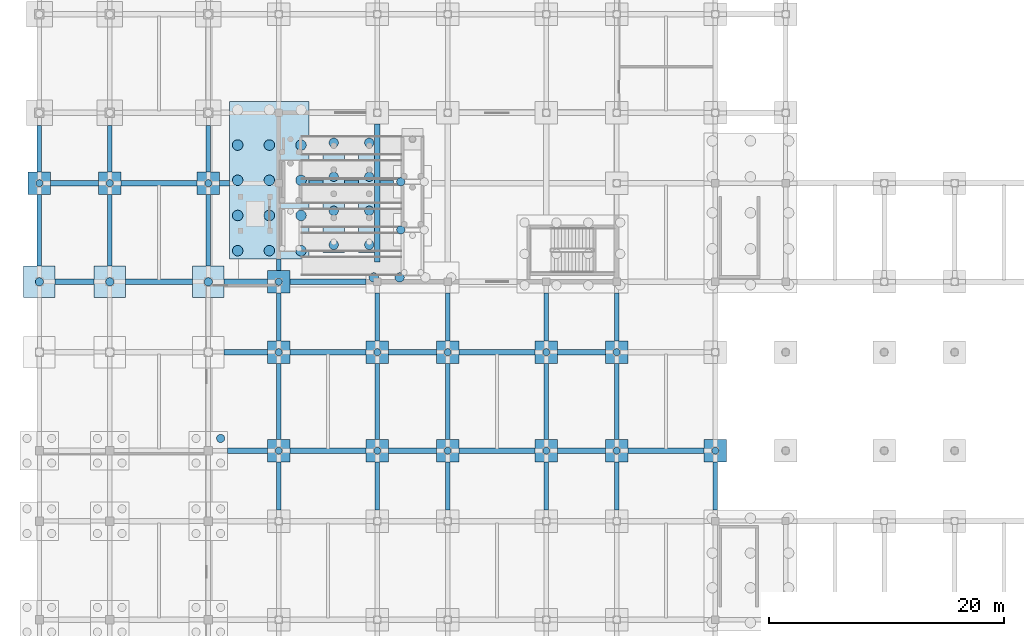
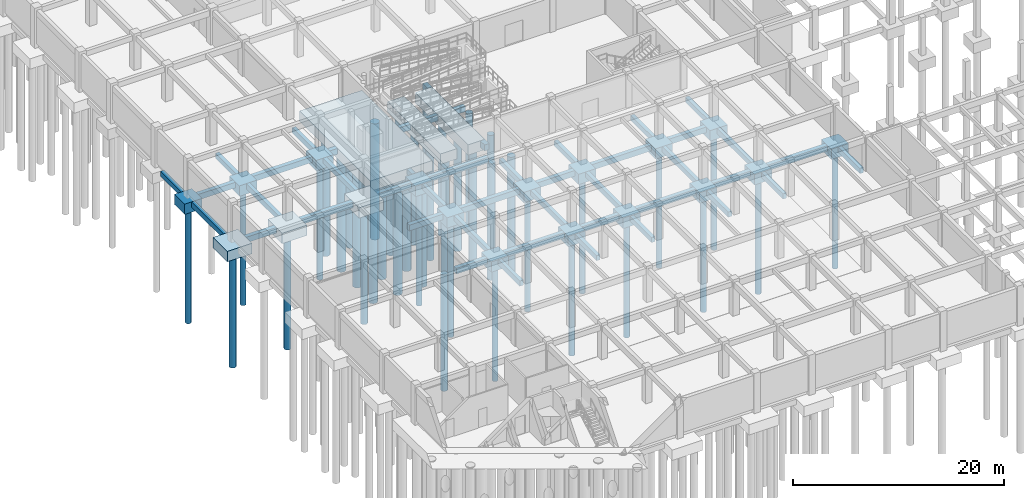
# One storey, part 3 of 40: 66 footings, 43 piles.
"""IFC4 building model written with IfcOpenShell, lengths in metres."""

from ifc_helpers import new_model, si_unit, direction, frame, origin, origin_2d, place, context, subcontext, project, spatial, rectangle, circle, extrude, material, material_profile, profile_set, type_object, element, save


model = new_model("IFC4")

# Units and contexts
model_context = context("Model", 3, precision=1e-05, world=origin(), true_north=direction((0.0, 1.0)))
body_context = subcontext(model_context, "Body", "Model", "MODEL_VIEW")
ifc_project = project(units=[si_unit("LENGTHUNIT", "METRE"), si_unit("AREAUNIT", "SQUARE_METRE"), si_unit("VOLUMEUNIT", "CUBIC_METRE"), si_unit("PLANEANGLEUNIT", "RADIAN"), si_unit("MASSUNIT", "GRAM", prefix="KILO"), si_unit("THERMODYNAMICTEMPERATUREUNIT", "KELVIN")], contexts=[model_context])

# Site, building, storey
site_placement = place(None, origin())
site = spatial("IfcSite", under=ifc_project, at=site_placement, CompositionType="ELEMENT")
building_placement = place(site_placement, origin())
building = spatial("IfcBuilding", under=site, at=building_placement, Name="Thalorik Housing Commons", CompositionType="ELEMENT")
storey_placement = place(building_placement, frame((0.0, 0.0, -4.199951171875)))
storey = spatial("IfcBuildingStorey", under=building, at=storey_placement, Name="B1", CompositionType="ELEMENT", Elevation=-4.199951171875)

# Footings
ifc_material = material(Name="Concrete C40/50", Category="concrete")
footing_type_1 = type_object("IfcFootingType", Name="STR-CAP-1800x10000", PredefinedType="PILE_CAP", material=ifc_material)
for number, where, z_axis, x_axis, name in (
    (1, (33.488037109375, 65.10009765625, -1.64990234375), (0.0, 0.0, 1.0), (1.0, 0.0, 0.0), "B1 Pile Cap 142"),
    (2, (36.511962890625, 65.10009765625, -1.64990234375), (0.0, 0.0, 1.0), (1.0, 0.0, 0.0), "B1 Pile Cap 143"),
):
    element("IfcFooting", number, at=place(storey_placement, frame(where, z_axis=z_axis, x_axis=x_axis)), inside=storey, type_object=footing_type_1, Name=name, PredefinedType="PILE_CAP", context=body_context, shape_type="SweptSolid", body=[
        extrude(rectangle(XDim=1.800048828125, YDim=10.0, at=origin_2d()), origin(), (0.0, 0.0, 1.0), 1.199951171875),
    ])
footing_type_2 = type_object("IfcFootingType", Name="STR-CAP-1900x1900", PredefinedType="PILE_CAP", material=ifc_material)
for number, where, z_axis, x_axis, name in (
    (3, (28.800048828125, 43.199951171875, -1.64990234375), (0.0, 0.0, 1.0), (1.0, 0.0, 0.0), "B1 Pile Cap 104"),
    (4, (37.199951171875, 43.199951171875, -1.64990234375), (0.0, 0.0, 1.0), (1.0, 0.0, 0.0), "B1 Pile Cap 105"),
    (5, (43.199951171875, 43.199951171875, -1.64990234375), (0.0, 0.0, 1.0), (1.0, 0.0, 0.0), "B1 Pile Cap 106"),
    (6, (51.60009765625, 43.199951171875, -1.64990234375), (0.0, 0.0, 1.0), (1.0, 0.0, 0.0), "B1 Pile Cap 107"),
    (7, (57.60009765625, 43.199951171875, -1.64990234375), (0.0, 0.0, 1.0), (1.0, 0.0, 0.0), "B1 Pile Cap 108"),
    (8, (66.0, 43.199951171875, -1.64990234375), (0.0, 0.0, 1.0), (1.0, 0.0, 0.0), "B1 Pile Cap 109"),
    (9, (28.800048828125, 51.60009765625, -1.64990234375), (0.0, 0.0, 1.0), (1.0, 0.0, 0.0), "B1 Pile Cap 119"),
    (10, (37.199951171875, 51.60009765625, -1.64990234375), (0.0, 0.0, 1.0), (1.0, 0.0, 0.0), "B1 Pile Cap 120"),
    (11, (43.199951171875, 51.60009765625, -1.64990234375), (0.0, 0.0, 1.0), (1.0, 0.0, 0.0), "B1 Pile Cap 121"),
    (12, (51.60009765625, 51.60009765625, -1.64990234375), (0.0, 0.0, 1.0), (1.0, 0.0, 0.0), "B1 Pile Cap 122"),
    (13, (57.60009765625, 51.60009765625, -1.64990234375), (0.0, 0.0, 1.0), (1.0, 0.0, 0.0), "B1 Pile Cap 123"),
    (14, (28.800048828125, 57.60009765625, -1.64990234375), (0.0, 0.0, 1.0), (1.0, 0.0, 0.0), "B1 Pile Cap 132"),
    (15, (8.39990234375, 66.0, -1.64990234375), (0.0, 0.0, 1.0), (1.0, 0.0, 0.0), "B1 Pile Cap 149"),
    (16, (14.39990234375, 66.0, -1.64990234375), (0.0, 0.0, 1.0), (1.0, 0.0, 0.0), "B1 Pile Cap 150"),
    (17, (22.800048828125, 66.0, -1.64990234375), (0.0, 0.0, 1.0), (1.0, 0.0, 0.0), "B1 Pile Cap 151"),
):
    element("IfcFooting", number, at=place(storey_placement, frame(where, z_axis=z_axis, x_axis=x_axis)), inside=storey, type_object=footing_type_2, Name=name, PredefinedType="PILE_CAP", context=body_context, shape_type="SweptSolid", body=[
        extrude(rectangle(XDim=1.89990234375, YDim=1.89990234375, at=origin_2d()), origin(), (0.0, 0.0, 1.0), 1.199951171875),
    ])
footing_type_3 = type_object("IfcFootingType", Name="STR-CAP-2700x2700", PredefinedType="PILE_CAP", material=ifc_material)
for number, where, z_axis, x_axis, name in (
    (18, (8.39990234375, 57.60009765625, -1.64990234375), (0.0, 0.0, 1.0), (1.0, 0.0, 0.0), "B1 Pile Cap 125"),
    (19, (14.39990234375, 57.60009765625, -1.64990234375), (0.0, 0.0, 1.0), (1.0, 0.0, 0.0), "B1 Pile Cap 126"),
    (20, (22.800048828125, 57.60009765625, -1.64990234375), (0.0, 0.0, 1.0), (1.0, 0.0, 0.0), "B1 Pile Cap 127"),
):
    element("IfcFooting", number, at=place(storey_placement, frame(where, z_axis=z_axis, x_axis=x_axis)), inside=storey, type_object=footing_type_3, Name=name, PredefinedType="PILE_CAP", context=body_context, shape_type="SweptSolid", body=[
        extrude(rectangle(XDim=2.699951171875, YDim=2.699951171875, at=origin_2d()), origin(), (0.0, 0.0, 1.0), 1.199951171875),
    ])
footing_type_4 = type_object("IfcFootingType", Name="STR-CAP-6800x13400", PredefinedType="PILE_CAP", material=ifc_material)
footing_1_placement = place(storey_placement, frame((28.0, 66.25, -1.64990234375), z_axis=(0.0, 0.0, 1.0), x_axis=(1.0, 0.0, 0.0)))
element("IfcFooting", 21, at=footing_1_placement, inside=storey, type_object=footing_type_4, Name="B1 Pile Cap 141", PredefinedType="PILE_CAP", context=body_context, shape_type="SweptSolid", body=[
    extrude(rectangle(XDim=6.800048828125, YDim=13.39990234375, at=origin_2d()), origin(), (0.0, 0.0, 1.0), 1.199951171875),
])
ifc_material_profile_1 = material_profile(ifc_material, rectangle(XDim=0.39990234375, YDim=0.60009765625, at=origin_2d()), Name="RC 400x600", Category="concrete")
ifc_profile_set_1 = profile_set([ifc_material_profile_1], Name="Concrete C40/50")
footing_type_5 = type_object("IfcFootingType", Name="STR-GB-400", PredefinedType="FOOTING_BEAM", material=ifc_profile_set_1)
footing_2_placement = place(storey_placement, frame((8.39990234375, 58.949951171875, -0.75), z_axis=(0.0, 1.0, 0.0), x_axis=(-1.0, 0.0, 0.0)))
element("IfcFooting", 22, at=footing_2_placement, inside=storey, type_object=footing_type_5, Name="B1 Ground Tie-Beam Y 268", PredefinedType="FOOTING_BEAM", context=body_context, shape_type="SweptSolid", body=[
    extrude(rectangle(XDim=0.39990234375, YDim=0.60009765625, at=origin_2d()), origin(), (0.0, 0.0, 1.0), 6.10009765625),
])
footing_3_placement = place(storey_placement, frame((8.39990234375, 66.949951171875, -0.75), z_axis=(0.0, 1.0, 0.0), x_axis=(-1.0, 0.0, 0.0)))
element("IfcFooting", 23, at=footing_3_placement, inside=storey, type_object=footing_type_5, Name="B1 Ground Tie-Beam Y 269", PredefinedType="FOOTING_BEAM", context=body_context, shape_type="SweptSolid", body=[
    extrude(rectangle(XDim=0.39990234375, YDim=0.60009765625, at=origin_2d()), origin(), (0.0, 0.0, 1.0), 3.949951171875),
])
footing_4_placement = place(storey_placement, frame((14.39990234375, 58.949951171875, -0.75), z_axis=(0.0, 1.0, 0.0), x_axis=(-1.0, 0.0, 0.0)))
element("IfcFooting", 24, at=footing_4_placement, inside=storey, type_object=footing_type_5, Name="B1 Ground Tie-Beam Y 280", PredefinedType="FOOTING_BEAM", context=body_context, shape_type="SweptSolid", body=[
    extrude(rectangle(XDim=0.39990234375, YDim=0.60009765625, at=origin_2d()), origin(), (0.0, 0.0, 1.0), 6.10009765625),
])
footing_5_placement = place(storey_placement, frame((14.39990234375, 66.949951171875, -0.75), z_axis=(0.0, 1.0, 0.0), x_axis=(-1.0, 0.0, 0.0)))
element("IfcFooting", 25, at=footing_5_placement, inside=storey, type_object=footing_type_5, Name="B1 Ground Tie-Beam Y 281", PredefinedType="FOOTING_BEAM", context=body_context, shape_type="SweptSolid", body=[
    extrude(rectangle(XDim=0.39990234375, YDim=0.60009765625, at=origin_2d()), origin(), (0.0, 0.0, 1.0), 3.949951171875),
])
footing_6_placement = place(storey_placement, frame((22.800048828125, 58.949951171875, -0.75), z_axis=(0.0, 1.0, 0.0), x_axis=(-1.0, 0.0, 0.0)))
element("IfcFooting", 26, at=footing_6_placement, inside=storey, type_object=footing_type_5, Name="B1 Ground Tie-Beam Y 292", PredefinedType="FOOTING_BEAM", context=body_context, shape_type="SweptSolid", body=[
    extrude(rectangle(XDim=0.39990234375, YDim=0.60009765625, at=origin_2d()), origin(), (0.0, 0.0, 1.0), 6.10009765625),
])
footing_7_placement = place(storey_placement, frame((22.800048828125, 66.949951171875, -0.75), z_axis=(0.0, 1.0, 0.0), x_axis=(-1.0, 0.0, 0.0)))
element("IfcFooting", 27, at=footing_7_placement, inside=storey, type_object=footing_type_5, Name="B1 Ground Tie-Beam Y 293", PredefinedType="FOOTING_BEAM", context=body_context, shape_type="SweptSolid", body=[
    extrude(rectangle(XDim=0.39990234375, YDim=0.60009765625, at=origin_2d()), origin(), (0.0, 0.0, 1.0), 3.949951171875),
])
footing_8_placement = place(storey_placement, frame((28.800048828125, 38.14990234375, -0.75), z_axis=(0.0, 1.0, 0.0), x_axis=(-1.0, 0.0, 0.0)))
element("IfcFooting", 28, at=footing_8_placement, inside=storey, type_object=footing_type_5, Name="B1 Ground Tie-Beam Y 303", PredefinedType="FOOTING_BEAM", context=body_context, shape_type="SweptSolid", body=[
    extrude(rectangle(XDim=0.39990234375, YDim=0.60009765625, at=origin_2d()), origin(), (0.0, 0.0, 1.0), 4.10009765625),
])
footing_9_placement = place(storey_placement, frame((28.800048828125, 44.14990234375, -0.75), z_axis=(0.0, 1.0, 0.0), x_axis=(-1.0, 0.0, 0.0)))
element("IfcFooting", 29, at=footing_9_placement, inside=storey, type_object=footing_type_5, Name="B1 Ground Tie-Beam Y 304", PredefinedType="FOOTING_BEAM", context=body_context, shape_type="SweptSolid", body=[
    extrude(rectangle(XDim=0.39990234375, YDim=0.60009765625, at=origin_2d()), origin(), (0.0, 0.0, 1.0), 6.5),
])
footing_10_placement = place(storey_placement, frame((28.800048828125, 52.550048828125, -0.75), z_axis=(0.0, 1.0, 0.0), x_axis=(-1.0, 0.0, 0.0)))
element("IfcFooting", 30, at=footing_10_placement, inside=storey, type_object=footing_type_5, Name="B1 Ground Tie-Beam Y 305", PredefinedType="FOOTING_BEAM", context=body_context, shape_type="SweptSolid", body=[
    extrude(rectangle(XDim=0.39990234375, YDim=0.60009765625, at=origin_2d()), origin(), (0.0, 0.0, 1.0), 4.099853515625),
])
footing_11_placement = place(storey_placement, frame((28.800048828125, 58.550048828125, -0.75), z_axis=(0.0, 1.0, 0.0), x_axis=(-1.0, 0.0, 0.0)))
element("IfcFooting", 31, at=footing_11_placement, inside=storey, type_object=footing_type_5, Name="B1 Ground Tie-Beam Y 306", PredefinedType="FOOTING_BEAM", context=body_context, shape_type="SweptSolid", body=[
    extrude(rectangle(XDim=0.39990234375, YDim=0.60009765625, at=origin_2d()), origin(), (0.0, 0.0, 1.0), 1.0),
])
footing_12_placement = place(storey_placement, frame((37.199951171875, 38.14990234375, -0.75), z_axis=(0.0, 1.0, 0.0), x_axis=(-1.0, 0.0, 0.0)))
element("IfcFooting", 32, at=footing_12_placement, inside=storey, type_object=footing_type_5, Name="B1 Ground Tie-Beam Y 318", PredefinedType="FOOTING_BEAM", context=body_context, shape_type="SweptSolid", body=[
    extrude(rectangle(XDim=0.39990234375, YDim=0.60009765625, at=origin_2d()), origin(), (0.0, 0.0, 1.0), 4.10009765625),
])
footing_13_placement = place(storey_placement, frame((37.199951171875, 44.14990234375, -0.75), z_axis=(0.0, 1.0, 0.0), x_axis=(-1.0, 0.0, 0.0)))
element("IfcFooting", 33, at=footing_13_placement, inside=storey, type_object=footing_type_5, Name="B1 Ground Tie-Beam Y 319", PredefinedType="FOOTING_BEAM", context=body_context, shape_type="SweptSolid", body=[
    extrude(rectangle(XDim=0.39990234375, YDim=0.60009765625, at=origin_2d()), origin(), (0.0, 0.0, 1.0), 6.5),
])
footing_14_placement = place(storey_placement, frame((37.199951171875, 52.550048828125, -0.75), z_axis=(0.0, 1.0, 0.0), x_axis=(-1.0, 0.0, 0.0)))
element("IfcFooting", 34, at=footing_14_placement, inside=storey, type_object=footing_type_5, Name="B1 Ground Tie-Beam Y 320", PredefinedType="FOOTING_BEAM", context=body_context, shape_type="SweptSolid", body=[
    extrude(rectangle(XDim=0.39990234375, YDim=0.60009765625, at=origin_2d()), origin(), (0.0, 0.0, 1.0), 4.099853515625),
])
footing_15_placement = place(storey_placement, frame((43.199951171875, 38.14990234375, -0.75), z_axis=(0.0, 1.0, 0.0), x_axis=(-1.0, 0.0, 0.0)))
element("IfcFooting", 35, at=footing_15_placement, inside=storey, type_object=footing_type_5, Name="B1 Ground Tie-Beam Y 333", PredefinedType="FOOTING_BEAM", context=body_context, shape_type="SweptSolid", body=[
    extrude(rectangle(XDim=0.39990234375, YDim=0.60009765625, at=origin_2d()), origin(), (0.0, 0.0, 1.0), 4.10009765625),
])
footing_16_placement = place(storey_placement, frame((43.199951171875, 44.14990234375, -0.75), z_axis=(0.0, 1.0, 0.0), x_axis=(-1.0, 0.0, 0.0)))
element("IfcFooting", 36, at=footing_16_placement, inside=storey, type_object=footing_type_5, Name="B1 Ground Tie-Beam Y 334", PredefinedType="FOOTING_BEAM", context=body_context, shape_type="SweptSolid", body=[
    extrude(rectangle(XDim=0.39990234375, YDim=0.60009765625, at=origin_2d()), origin(), (0.0, 0.0, 1.0), 6.5),
])
footing_17_placement = place(storey_placement, frame((43.199951171875, 52.550048828125, -0.75), z_axis=(0.0, 1.0, 0.0), x_axis=(-1.0, 0.0, 0.0)))
element("IfcFooting", 37, at=footing_17_placement, inside=storey, type_object=footing_type_5, Name="B1 Ground Tie-Beam Y 335", PredefinedType="FOOTING_BEAM", context=body_context, shape_type="SweptSolid", body=[
    extrude(rectangle(XDim=0.39990234375, YDim=0.60009765625, at=origin_2d()), origin(), (0.0, 0.0, 1.0), 4.099853515625),
])
footing_18_placement = place(storey_placement, frame((51.60009765625, 38.14990234375, -0.75), z_axis=(0.0, 1.0, 0.0), x_axis=(-1.0, 0.0, 0.0)))
element("IfcFooting", 38, at=footing_18_placement, inside=storey, type_object=footing_type_5, Name="B1 Ground Tie-Beam Y 348", PredefinedType="FOOTING_BEAM", context=body_context, shape_type="SweptSolid", body=[
    extrude(rectangle(XDim=0.39990234375, YDim=0.60009765625, at=origin_2d()), origin(), (0.0, 0.0, 1.0), 4.10009765625),
])
footing_19_placement = place(storey_placement, frame((51.60009765625, 44.14990234375, -0.75), z_axis=(0.0, 1.0, 0.0), x_axis=(-1.0, 0.0, 0.0)))
element("IfcFooting", 39, at=footing_19_placement, inside=storey, type_object=footing_type_5, Name="B1 Ground Tie-Beam Y 349", PredefinedType="FOOTING_BEAM", context=body_context, shape_type="SweptSolid", body=[
    extrude(rectangle(XDim=0.39990234375, YDim=0.60009765625, at=origin_2d()), origin(), (0.0, 0.0, 1.0), 6.5),
])
footing_20_placement = place(storey_placement, frame((51.60009765625, 52.550048828125, -0.75), z_axis=(0.0, 1.0, 0.0), x_axis=(-1.0, 0.0, 0.0)))
element("IfcFooting", 40, at=footing_20_placement, inside=storey, type_object=footing_type_5, Name="B1 Ground Tie-Beam Y 350", PredefinedType="FOOTING_BEAM", context=body_context, shape_type="SweptSolid", body=[
    extrude(rectangle(XDim=0.39990234375, YDim=0.60009765625, at=origin_2d()), origin(), (0.0, 0.0, 1.0), 4.099853515625),
])
footing_21_placement = place(storey_placement, frame((57.60009765625, 38.14990234375, -0.75), z_axis=(0.0, 1.0, 0.0), x_axis=(-1.0, 0.0, 0.0)))
element("IfcFooting", 41, at=footing_21_placement, inside=storey, type_object=footing_type_5, Name="B1 Ground Tie-Beam Y 363", PredefinedType="FOOTING_BEAM", context=body_context, shape_type="SweptSolid", body=[
    extrude(rectangle(XDim=0.39990234375, YDim=0.60009765625, at=origin_2d()), origin(), (0.0, 0.0, 1.0), 4.10009765625),
])
footing_22_placement = place(storey_placement, frame((57.60009765625, 44.14990234375, -0.75), z_axis=(0.0, 1.0, 0.0), x_axis=(-1.0, 0.0, 0.0)))
element("IfcFooting", 42, at=footing_22_placement, inside=storey, type_object=footing_type_5, Name="B1 Ground Tie-Beam Y 364", PredefinedType="FOOTING_BEAM", context=body_context, shape_type="SweptSolid", body=[
    extrude(rectangle(XDim=0.39990234375, YDim=0.60009765625, at=origin_2d()), origin(), (0.0, 0.0, 1.0), 6.5),
])
footing_23_placement = place(storey_placement, frame((57.60009765625, 52.550048828125, -0.75), z_axis=(0.0, 1.0, 0.0), x_axis=(-1.0, 0.0, 0.0)))
element("IfcFooting", 43, at=footing_23_placement, inside=storey, type_object=footing_type_5, Name="B1 Ground Tie-Beam Y 365", PredefinedType="FOOTING_BEAM", context=body_context, shape_type="SweptSolid", body=[
    extrude(rectangle(XDim=0.39990234375, YDim=0.60009765625, at=origin_2d()), origin(), (0.0, 0.0, 1.0), 4.099853515625),
])
footing_24_placement = place(storey_placement, frame((66.0, 38.14990234375, -0.75), z_axis=(0.0, 1.0, 0.0), x_axis=(-1.0, 0.0, 0.0)))
element("IfcFooting", 44, at=footing_24_placement, inside=storey, type_object=footing_type_5, Name="B1 Ground Tie-Beam Y 378", PredefinedType="FOOTING_BEAM", context=body_context, shape_type="SweptSolid", body=[
    extrude(rectangle(XDim=0.39990234375, YDim=0.60009765625, at=origin_2d()), origin(), (0.0, 0.0, 1.0), 4.10009765625),
])
ifc_material_profile_2 = material_profile(ifc_material, rectangle(XDim=0.449951171875, YDim=0.64990234375, at=origin_2d()), Name="RC 450x650", Category="concrete")
ifc_profile_set_2 = profile_set([ifc_material_profile_2], Name="Concrete C40/50")
footing_type_6 = type_object("IfcFootingType", Name="STR-GB-500", PredefinedType="FOOTING_BEAM", material=ifc_profile_set_2)
footing_25_placement = place(storey_placement, frame((24.449951171875, 43.199951171875, -0.775146484375), z_axis=(1.0, 0.0, 0.0), x_axis=(0.0, 1.0, 0.0)))
element("IfcFooting", 45, at=footing_25_placement, inside=storey, type_object=footing_type_6, Name="B1 Ground Tie-Beam X 89", PredefinedType="FOOTING_BEAM", context=body_context, shape_type="SweptSolid", body=[
    extrude(rectangle(XDim=0.449951171875, YDim=0.64990234375, at=origin_2d()), origin(), (0.0, 0.0, 1.0), 3.400146484375),
])
footing_26_placement = place(storey_placement, frame((29.75, 43.199951171875, -0.775146484375), z_axis=(1.0, 0.0, 0.0), x_axis=(0.0, 1.0, 0.0)))
element("IfcFooting", 46, at=footing_26_placement, inside=storey, type_object=footing_type_6, Name="B1 Ground Tie-Beam X 90", PredefinedType="FOOTING_BEAM", context=body_context, shape_type="SweptSolid", body=[
    extrude(rectangle(XDim=0.449951171875, YDim=0.64990234375, at=origin_2d()), origin(), (0.0, 0.0, 1.0), 6.5),
])
footing_27_placement = place(storey_placement, frame((38.14990234375, 43.199951171875, -0.775146484375), z_axis=(1.0, 0.0, 0.0), x_axis=(0.0, 1.0, 0.0)))
element("IfcFooting", 47, at=footing_27_placement, inside=storey, type_object=footing_type_6, Name="B1 Ground Tie-Beam X 91", PredefinedType="FOOTING_BEAM", context=body_context, shape_type="SweptSolid", body=[
    extrude(rectangle(XDim=0.449951171875, YDim=0.64990234375, at=origin_2d()), origin(), (0.0, 0.0, 1.0), 4.10009765625),
])
footing_28_placement = place(storey_placement, frame((44.14990234375, 43.199951171875, -0.775146484375), z_axis=(1.0, 0.0, 0.0), x_axis=(0.0, 1.0, 0.0)))
element("IfcFooting", 48, at=footing_28_placement, inside=storey, type_object=footing_type_6, Name="B1 Ground Tie-Beam X 92", PredefinedType="FOOTING_BEAM", context=body_context, shape_type="SweptSolid", body=[
    extrude(rectangle(XDim=0.449951171875, YDim=0.64990234375, at=origin_2d()), origin(), (0.0, 0.0, 1.0), 6.5),
])
footing_29_placement = place(storey_placement, frame((52.550048828125, 43.199951171875, -0.775146484375), z_axis=(1.0, 0.0, 0.0), x_axis=(0.0, 1.0, 0.0)))
element("IfcFooting", 49, at=footing_29_placement, inside=storey, type_object=footing_type_6, Name="B1 Ground Tie-Beam X 93", PredefinedType="FOOTING_BEAM", context=body_context, shape_type="SweptSolid", body=[
    extrude(rectangle(XDim=0.449951171875, YDim=0.64990234375, at=origin_2d()), origin(), (0.0, 0.0, 1.0), 4.099853515625),
])
footing_30_placement = place(storey_placement, frame((58.550048828125, 43.199951171875, -0.775146484375), z_axis=(1.0, 0.0, 0.0), x_axis=(0.0, 1.0, 0.0)))
element("IfcFooting", 50, at=footing_30_placement, inside=storey, type_object=footing_type_6, Name="B1 Ground Tie-Beam X 94", PredefinedType="FOOTING_BEAM", context=body_context, shape_type="SweptSolid", body=[
    extrude(rectangle(XDim=0.449951171875, YDim=0.64990234375, at=origin_2d()), origin(), (0.0, 0.0, 1.0), 6.5),
])
footing_31_placement = place(storey_placement, frame((24.14990234375, 51.60009765625, -0.775146484375), z_axis=(1.0, 0.0, 0.0), x_axis=(0.0, 1.0, 0.0)))
element("IfcFooting", 51, at=footing_31_placement, inside=storey, type_object=footing_type_6, Name="B1 Ground Tie-Beam X 102", PredefinedType="FOOTING_BEAM", context=body_context, shape_type="SweptSolid", body=[
    extrude(rectangle(XDim=0.449951171875, YDim=0.64990234375, at=origin_2d()), origin(), (0.0, 0.0, 1.0), 3.7001953125),
])
footing_32_placement = place(storey_placement, frame((29.75, 51.60009765625, -0.775146484375), z_axis=(1.0, 0.0, 0.0), x_axis=(0.0, 1.0, 0.0)))
element("IfcFooting", 52, at=footing_32_placement, inside=storey, type_object=footing_type_6, Name="B1 Ground Tie-Beam X 103", PredefinedType="FOOTING_BEAM", context=body_context, shape_type="SweptSolid", body=[
    extrude(rectangle(XDim=0.449951171875, YDim=0.64990234375, at=origin_2d()), origin(), (0.0, 0.0, 1.0), 6.5),
])
footing_33_placement = place(storey_placement, frame((38.14990234375, 51.60009765625, -0.775146484375), z_axis=(1.0, 0.0, 0.0), x_axis=(0.0, 1.0, 0.0)))
element("IfcFooting", 53, at=footing_33_placement, inside=storey, type_object=footing_type_6, Name="B1 Ground Tie-Beam X 104", PredefinedType="FOOTING_BEAM", context=body_context, shape_type="SweptSolid", body=[
    extrude(rectangle(XDim=0.449951171875, YDim=0.64990234375, at=origin_2d()), origin(), (0.0, 0.0, 1.0), 4.10009765625),
])
footing_34_placement = place(storey_placement, frame((44.14990234375, 51.60009765625, -0.775146484375), z_axis=(1.0, 0.0, 0.0), x_axis=(0.0, 1.0, 0.0)))
element("IfcFooting", 54, at=footing_34_placement, inside=storey, type_object=footing_type_6, Name="B1 Ground Tie-Beam X 105", PredefinedType="FOOTING_BEAM", context=body_context, shape_type="SweptSolid", body=[
    extrude(rectangle(XDim=0.449951171875, YDim=0.64990234375, at=origin_2d()), origin(), (0.0, 0.0, 1.0), 6.5),
])
footing_35_placement = place(storey_placement, frame((52.550048828125, 51.60009765625, -0.775146484375), z_axis=(1.0, 0.0, 0.0), x_axis=(0.0, 1.0, 0.0)))
element("IfcFooting", 55, at=footing_35_placement, inside=storey, type_object=footing_type_6, Name="B1 Ground Tie-Beam X 106", PredefinedType="FOOTING_BEAM", context=body_context, shape_type="SweptSolid", body=[
    extrude(rectangle(XDim=0.449951171875, YDim=0.64990234375, at=origin_2d()), origin(), (0.0, 0.0, 1.0), 4.099853515625),
])
footing_36_placement = place(storey_placement, frame((9.75, 57.60009765625, -0.775146484375), z_axis=(1.0, 0.0, 0.0), x_axis=(0.0, 1.0, 0.0)))
element("IfcFooting", 56, at=footing_36_placement, inside=storey, type_object=footing_type_6, Name="B1 Ground Tie-Beam X 113", PredefinedType="FOOTING_BEAM", context=body_context, shape_type="SweptSolid", body=[
    extrude(rectangle(XDim=0.449951171875, YDim=0.64990234375, at=origin_2d()), origin(), (0.0, 0.0, 1.0), 3.300048828125),
])
footing_37_placement = place(storey_placement, frame((15.75, 57.60009765625, -0.775146484375), z_axis=(1.0, 0.0, 0.0), x_axis=(0.0, 1.0, 0.0)))
element("IfcFooting", 57, at=footing_37_placement, inside=storey, type_object=footing_type_6, Name="B1 Ground Tie-Beam X 114", PredefinedType="FOOTING_BEAM", context=body_context, shape_type="SweptSolid", body=[
    extrude(rectangle(XDim=0.449951171875, YDim=0.64990234375, at=origin_2d()), origin(), (0.0, 0.0, 1.0), 5.699951171875),
])
footing_38_placement = place(storey_placement, frame((24.14990234375, 57.60009765625, -0.775146484375), z_axis=(1.0, 0.0, 0.0), x_axis=(0.0, 1.0, 0.0)))
element("IfcFooting", 58, at=footing_38_placement, inside=storey, type_object=footing_type_6, Name="B1 Ground Tie-Beam X 115", PredefinedType="FOOTING_BEAM", context=body_context, shape_type="SweptSolid", body=[
    extrude(rectangle(XDim=0.449951171875, YDim=0.64990234375, at=origin_2d()), origin(), (0.0, 0.0, 1.0), 3.7001953125),
])
footing_39_placement = place(storey_placement, frame((29.75, 57.60009765625, -0.775146484375), z_axis=(1.0, 0.0, 0.0), x_axis=(0.0, 1.0, 0.0)))
element("IfcFooting", 59, at=footing_39_placement, inside=storey, type_object=footing_type_6, Name="B1 Ground Tie-Beam X 116", PredefinedType="FOOTING_BEAM", context=body_context, shape_type="SweptSolid", body=[
    extrude(rectangle(XDim=0.449951171875, YDim=0.64990234375, at=origin_2d()), origin(), (0.0, 0.0, 1.0), 6.5),
])
footing_40_placement = place(storey_placement, frame((9.35009765625, 66.0, -0.775146484375), z_axis=(1.0, 0.0, 0.0), x_axis=(0.0, 1.0, 0.0)))
element("IfcFooting", 60, at=footing_40_placement, inside=storey, type_object=footing_type_6, Name="B1 Ground Tie-Beam X 127", PredefinedType="FOOTING_BEAM", context=body_context, shape_type="SweptSolid", body=[
    extrude(rectangle(XDim=0.449951171875, YDim=0.64990234375, at=origin_2d()), origin(), (0.0, 0.0, 1.0), 4.099853515625),
])
footing_41_placement = place(storey_placement, frame((15.35009765625, 66.0, -0.775146484375), z_axis=(1.0, 0.0, 0.0), x_axis=(0.0, 1.0, 0.0)))
element("IfcFooting", 61, at=footing_41_placement, inside=storey, type_object=footing_type_6, Name="B1 Ground Tie-Beam X 128", PredefinedType="FOOTING_BEAM", context=body_context, shape_type="SweptSolid", body=[
    extrude(rectangle(XDim=0.449951171875, YDim=0.64990234375, at=origin_2d()), origin(), (0.0, 0.0, 1.0), 6.5),
])
footing_42_placement = place(storey_placement, frame((23.75, 66.0, -0.775146484375), z_axis=(1.0, 0.0, 0.0), x_axis=(0.0, 1.0, 0.0)))
element("IfcFooting", 62, at=footing_42_placement, inside=storey, type_object=footing_type_6, Name="B1 Ground Tie-Beam X 129", PredefinedType="FOOTING_BEAM", context=body_context, shape_type="SweptSolid", body=[
    extrude(rectangle(XDim=0.449951171875, YDim=0.64990234375, at=origin_2d()), origin(), (0.0, 0.0, 1.0), 0.85009765625),
])
footing_43_placement = place(storey_placement, frame((31.39990234375, 66.0, -0.775146484375), z_axis=(1.0, 0.0, 0.0), x_axis=(0.0, 1.0, 0.0)))
element("IfcFooting", 63, at=footing_43_placement, inside=storey, type_object=footing_type_6, Name="B1 Ground Tie-Beam X 130", PredefinedType="FOOTING_BEAM", context=body_context, shape_type="SweptSolid", body=[
    extrude(rectangle(XDim=0.449951171875, YDim=0.64990234375, at=origin_2d()), origin(), (0.0, 0.0, 1.0), 1.18798828125),
])
footing_44_placement = place(storey_placement, frame((34.387939453125, 66.0, -0.775146484375), z_axis=(1.0, 0.0, 0.0), x_axis=(0.0, 1.0, 0.0)))
element("IfcFooting", 64, at=footing_44_placement, inside=storey, type_object=footing_type_6, Name="B1 Ground Tie-Beam X 131", PredefinedType="FOOTING_BEAM", context=body_context, shape_type="SweptSolid", body=[
    extrude(rectangle(XDim=0.449951171875, YDim=0.64990234375, at=origin_2d()), origin(), (0.0, 0.0, 1.0), 1.22412109375),
])
footing_45_placement = place(storey_placement, frame((37.412109375, 66.0, -0.775146484375), z_axis=(1.0, 0.0, 0.0), x_axis=(0.0, 1.0, 0.0)))
element("IfcFooting", 65, at=footing_45_placement, inside=storey, type_object=footing_type_6, Name="B1 Ground Tie-Beam X 132", PredefinedType="FOOTING_BEAM", context=body_context, shape_type="SweptSolid", body=[
    extrude(rectangle(XDim=0.449951171875, YDim=0.64990234375, at=origin_2d()), origin(), (0.0, 0.0, 1.0), 1.18798828125),
])
ifc_material_profile_3 = material_profile(ifc_material, rectangle(XDim=0.5, YDim=0.699951171875, at=origin_2d()), Name="RC 500x700", Category="concrete")
ifc_profile_set_3 = profile_set([ifc_material_profile_3], Name="Concrete C40/50")
footing_type_7 = type_object("IfcFootingType", Name="STR-GB-600", PredefinedType="FOOTING_BEAM", material=ifc_profile_set_3)
footing_46_placement = place(storey_placement, frame((37.199951171875, 59.300048828125, -0.800048828125), z_axis=(0.0, 1.0, 0.0), x_axis=(-1.0, 0.0, 0.0)))
element("IfcFooting", 66, at=footing_46_placement, inside=storey, type_object=footing_type_7, Name="B1 Ground Tie-Beam Y 321", PredefinedType="FOOTING_BEAM", context=body_context, shape_type="SweptSolid", body=[
    extrude(rectangle(XDim=0.5, YDim=0.699951171875, at=origin_2d()), origin(), (0.0, 0.0, 1.0), 11.75),
])

# Piles
ifc_material_profile_4 = material_profile(ifc_material, circle(Radius=0.300048828125, at=origin_2d()), Name="BORED PILE D600", Category="concrete")
ifc_profile_set_4 = profile_set([ifc_material_profile_4], Name="Concrete C40/50")
pile_type_1 = type_object("IfcPileType", Name="STR-PILE-D600", PredefinedType="BORED", material=ifc_profile_set_4)
for number, where, z_axis, x_axis, name in (
    (67, (28.800048828125, 43.199951171875, -1.550048828125), (0.0, 0.0, -1.0), (1.0, 0.0, 0.0), "B1 Bored Pile 247"),
    (68, (37.199951171875, 43.199951171875, -1.550048828125), (0.0, 0.0, -1.0), (1.0, 0.0, 0.0), "B1 Bored Pile 248"),
    (69, (43.199951171875, 43.199951171875, -1.550048828125), (0.0, 0.0, -1.0), (1.0, 0.0, 0.0), "B1 Bored Pile 249"),
    (70, (51.60009765625, 43.199951171875, -1.550048828125), (0.0, 0.0, -1.0), (1.0, 0.0, 0.0), "B1 Bored Pile 250"),
    (71, (57.60009765625, 43.199951171875, -1.550048828125), (0.0, 0.0, -1.0), (1.0, 0.0, 0.0), "B1 Bored Pile 251"),
    (72, (66.0, 43.199951171875, -1.550048828125), (0.0, 0.0, -1.0), (1.0, 0.0, 0.0), "B1 Bored Pile 252"),
    (73, (28.800048828125, 51.60009765625, -1.550048828125), (0.0, 0.0, -1.0), (1.0, 0.0, 0.0), "B1 Bored Pile 262"),
    (74, (37.199951171875, 51.60009765625, -1.550048828125), (0.0, 0.0, -1.0), (1.0, 0.0, 0.0), "B1 Bored Pile 263"),
    (75, (43.199951171875, 51.60009765625, -1.550048828125), (0.0, 0.0, -1.0), (1.0, 0.0, 0.0), "B1 Bored Pile 264"),
    (76, (51.60009765625, 51.60009765625, -1.550048828125), (0.0, 0.0, -1.0), (1.0, 0.0, 0.0), "B1 Bored Pile 265"),
    (77, (57.60009765625, 51.60009765625, -1.550048828125), (0.0, 0.0, -1.0), (1.0, 0.0, 0.0), "B1 Bored Pile 266"),
    (78, (28.800048828125, 57.60009765625, -1.550048828125), (0.0, 0.0, -1.0), (1.0, 0.0, 0.0), "B1 Bored Pile 308"),
    (79, (8.39990234375, 66.0, -1.550048828125), (0.0, 0.0, -1.0), (1.0, 0.0, 0.0), "B1 Bored Pile 386"),
    (80, (14.39990234375, 66.0, -1.550048828125), (0.0, 0.0, -1.0), (1.0, 0.0, 0.0), "B1 Bored Pile 387"),
    (81, (22.800048828125, 66.0, -1.550048828125), (0.0, 0.0, -1.0), (1.0, 0.0, 0.0), "B1 Bored Pile 388"),
):
    element("IfcPile", number, at=place(storey_placement, frame(where, z_axis=z_axis, x_axis=x_axis)), inside=storey, type_object=pile_type_1, Name=name, PredefinedType="BORED", context=body_context, shape_type="SweptSolid", body=[
        extrude(circle(Radius=0.300048828125, at=origin_2d()), origin(), (0.0, 0.0, 1.0), 13.449951171875),
    ])
ifc_material_profile_5 = material_profile(ifc_material, circle(Radius=0.35009765625, at=origin_2d()), Name="BORED PILE D700", Category="concrete")
ifc_profile_set_5 = profile_set([ifc_material_profile_5], Name="Concrete C40/50")
pile_type_2 = type_object("IfcPileType", Name="STR-PILE-D700", PredefinedType="BORED", material=ifc_profile_set_5)
for number, where, z_axis, x_axis, name in (
    (82, (23.85009765625, 44.25, -1.550048828125), (0.0, 0.0, -1.0), (1.0, 0.0, 0.0), "B1 Bored Pile 240"),
    (83, (8.39990234375, 57.60009765625, -1.550048828125), (0.0, 0.0, -1.0), (1.0, 0.0, 0.0), "B1 Bored Pile 268"),
    (84, (14.39990234375, 57.60009765625, -1.550048828125), (0.0, 0.0, -1.0), (1.0, 0.0, 0.0), "B1 Bored Pile 269"),
    (85, (22.800048828125, 57.60009765625, -1.550048828125), (0.0, 0.0, -1.0), (1.0, 0.0, 0.0), "B1 Bored Pile 270"),
    (86, (39.199951171875, 62.02490234375, -1.550048828125), (0.0, 0.0, -1.0), (1.0, 0.0, 0.0), "B1 Bored Pile 379"),
    (87, (39.199951171875, 66.125, -1.550048828125), (0.0, 0.0, -1.0), (1.0, 0.0, 0.0), "B1 Bored Pile 383"),
):
    element("IfcPile", number, at=place(storey_placement, frame(where, z_axis=z_axis, x_axis=x_axis)), inside=storey, type_object=pile_type_2, Name=name, PredefinedType="BORED", context=body_context, shape_type="SweptSolid", body=[
        extrude(circle(Radius=0.35009765625, at=origin_2d()), origin(), (0.0, 0.0, 1.0), 13.449951171875),
    ])
ifc_material_profile_6 = material_profile(ifc_material, circle(Radius=0.39990234375, at=origin_2d()), Name="BORED PILE D800", Category="concrete")
ifc_profile_set_6 = profile_set([ifc_material_profile_6], Name="Concrete C40/50")
pile_type_3 = type_object("IfcPileType", Name="STR-PILE-D800", PredefinedType="BORED", material=ifc_profile_set_6)
for number, where, z_axis, x_axis, name in (
    (88, (36.89990234375, 57.97509765625, -1.550048828125), (0.0, 0.0, -1.0), (1.0, 0.0, 0.0), "B1 Bored Pile 309"),
    (89, (39.10009765625, 57.97509765625, -1.550048828125), (0.0, 0.0, -1.0), (1.0, 0.0, 0.0), "B1 Bored Pile 310"),
    (90, (33.488037109375, 60.75, -1.550048828125), (0.0, 0.0, -1.0), (1.0, 0.0, 0.0), "B1 Bored Pile 371"),
    (91, (33.488037109375, 63.64990234375, -1.550048828125), (0.0, 0.0, -1.0), (1.0, 0.0, 0.0), "B1 Bored Pile 372"),
    (92, (33.488037109375, 66.550048828125, -1.550048828125), (0.0, 0.0, -1.0), (1.0, 0.0, 0.0), "B1 Bored Pile 373"),
    (93, (33.488037109375, 69.449951171875, -1.550048828125), (0.0, 0.0, -1.0), (1.0, 0.0, 0.0), "B1 Bored Pile 374"),
    (94, (36.511962890625, 60.75, -1.550048828125), (0.0, 0.0, -1.0), (1.0, 0.0, 0.0), "B1 Bored Pile 375"),
    (95, (36.511962890625, 63.64990234375, -1.550048828125), (0.0, 0.0, -1.0), (1.0, 0.0, 0.0), "B1 Bored Pile 376"),
    (96, (36.511962890625, 66.550048828125, -1.550048828125), (0.0, 0.0, -1.0), (1.0, 0.0, 0.0), "B1 Bored Pile 377"),
    (97, (36.511962890625, 69.449951171875, -1.550048828125), (0.0, 0.0, -1.0), (1.0, 0.0, 0.0), "B1 Bored Pile 378"),
):
    element("IfcPile", number, at=place(storey_placement, frame(where, z_axis=z_axis, x_axis=x_axis)), inside=storey, type_object=pile_type_3, Name=name, PredefinedType="BORED", context=body_context, shape_type="SweptSolid", body=[
        extrude(circle(Radius=0.39990234375, at=origin_2d()), origin(), (0.0, 0.0, 1.0), 13.449951171875),
    ])
ifc_material_profile_7 = material_profile(ifc_material, circle(Radius=0.449951171875, at=origin_2d()), Name="BORED PILE D900", Category="concrete")
ifc_profile_set_7 = profile_set([ifc_material_profile_7], Name="Concrete C40/50")
pile_type_4 = type_object("IfcPileType", Name="STR-PILE-D900", PredefinedType="BORED", material=ifc_profile_set_7)
for number, where, z_axis, x_axis, name in (
    (98, (25.300048828125, 60.25, -1.550048828125), (0.0, 0.0, -1.0), (1.0, 0.0, 0.0), "B1 Bored Pile 356"),
    (99, (25.300048828125, 63.25, -1.550048828125), (0.0, 0.0, -1.0), (1.0, 0.0, 0.0), "B1 Bored Pile 357"),
    (100, (25.300048828125, 66.25, -1.550048828125), (0.0, 0.0, -1.0), (1.0, 0.0, 0.0), "B1 Bored Pile 358"),
    (101, (25.300048828125, 69.25, -1.550048828125), (0.0, 0.0, -1.0), (1.0, 0.0, 0.0), "B1 Bored Pile 359"),
    (102, (28.0, 60.25, -1.550048828125), (0.0, 0.0, -1.0), (1.0, 0.0, 0.0), "B1 Bored Pile 361"),
    (103, (28.0, 63.25, -1.550048828125), (0.0, 0.0, -1.0), (1.0, 0.0, 0.0), "B1 Bored Pile 362"),
    (104, (28.0, 66.25, -1.550048828125), (0.0, 0.0, -1.0), (1.0, 0.0, 0.0), "B1 Bored Pile 363"),
    (105, (28.0, 69.25, -1.550048828125), (0.0, 0.0, -1.0), (1.0, 0.0, 0.0), "B1 Bored Pile 364"),
    (106, (30.699951171875, 60.25, -1.550048828125), (0.0, 0.0, -1.0), (1.0, 0.0, 0.0), "B1 Bored Pile 366"),
    (107, (30.699951171875, 63.25, -1.550048828125), (0.0, 0.0, -1.0), (1.0, 0.0, 0.0), "B1 Bored Pile 367"),
    (108, (30.699951171875, 66.25, -1.550048828125), (0.0, 0.0, -1.0), (1.0, 0.0, 0.0), "B1 Bored Pile 368"),
    (109, (30.699951171875, 69.25, -1.550048828125), (0.0, 0.0, -1.0), (1.0, 0.0, 0.0), "B1 Bored Pile 369"),
):
    element("IfcPile", number, at=place(storey_placement, frame(where, z_axis=z_axis, x_axis=x_axis)), inside=storey, type_object=pile_type_4, Name=name, PredefinedType="BORED", context=body_context, shape_type="SweptSolid", body=[
        extrude(circle(Radius=0.449951171875, at=origin_2d()), origin(), (0.0, 0.0, 1.0), 13.449951171875),
    ])

save(model, "model.ifc")
